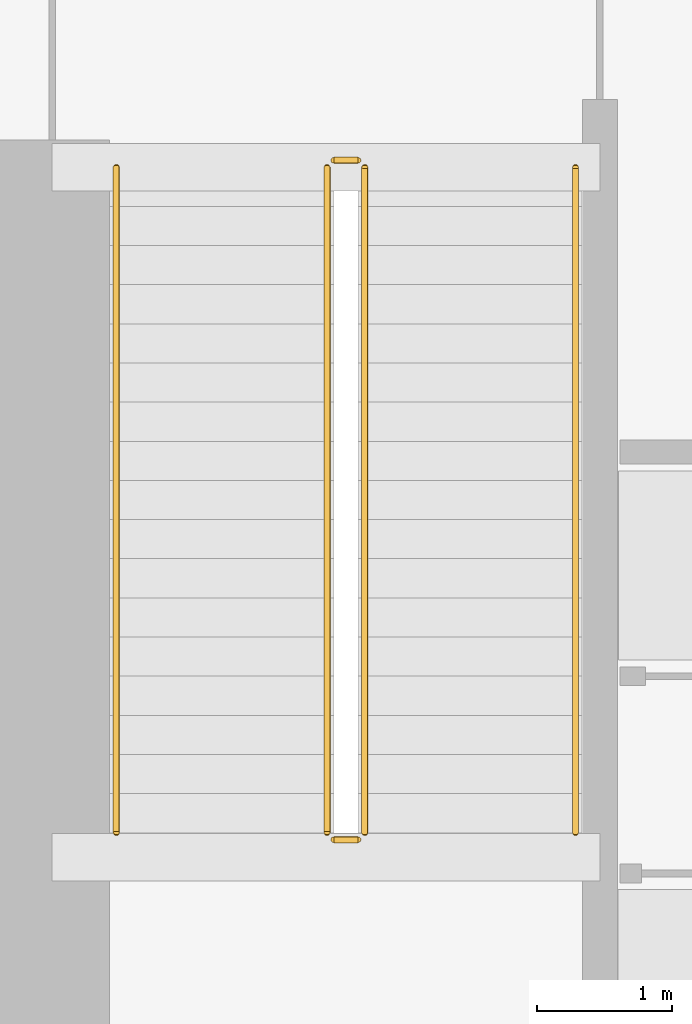
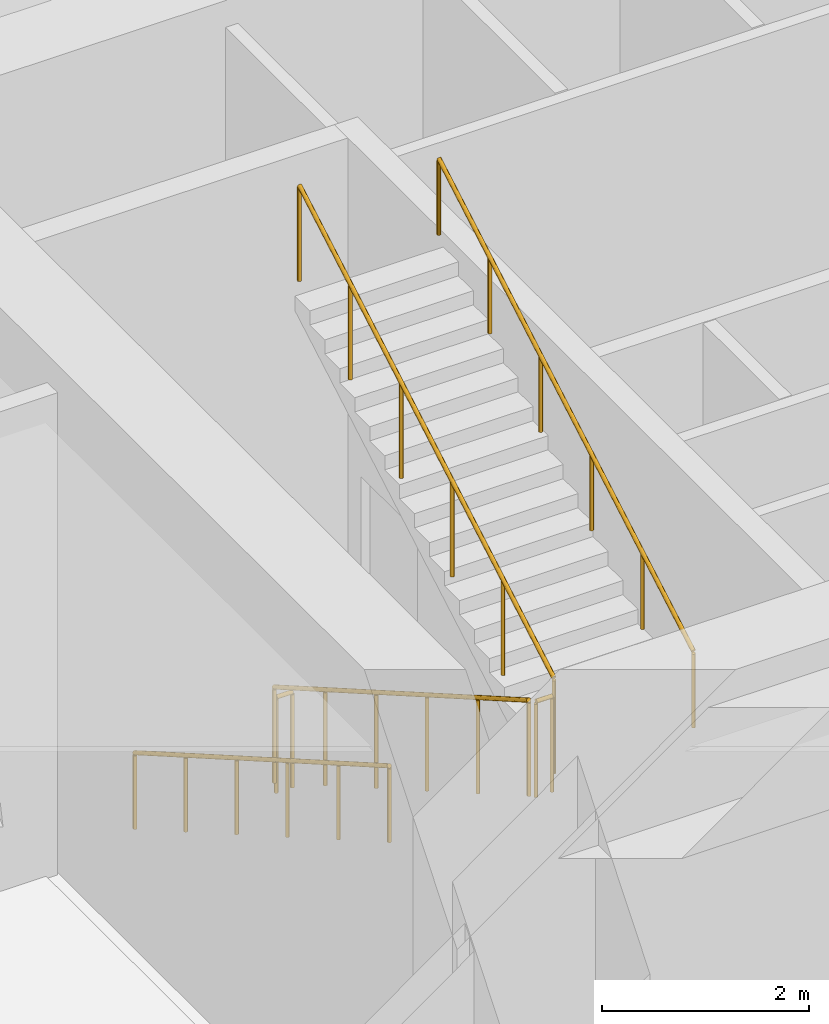
# One storey, part 9 of 13: 6 railings.
"""IFC4 building model written with IfcOpenShell, lengths in metres."""

from ifc_helpers import new_model, si_unit, direction, frame, origin, origin_2d, place, context, subcontext, project, spatial, circle, extrude, material, type_object, element, save


model = new_model("IFC4")

# Units and contexts
model_context = context("Model", 3, precision=1e-05, world=origin(), true_north=direction((0.0, 1.0)))
body_context = subcontext(model_context, "Body", "Model", "MODEL_VIEW")
ifc_project = project(units=[si_unit("LENGTHUNIT", "METRE"), si_unit("AREAUNIT", "SQUARE_METRE"), si_unit("VOLUMEUNIT", "CUBIC_METRE"), si_unit("PLANEANGLEUNIT", "RADIAN"), si_unit("MASSUNIT", "GRAM", prefix="KILO")], contexts=[model_context])

# Site, building, storey
site_placement = place(None, origin())
site = spatial("IfcSite", under=ifc_project, at=site_placement, CompositionType="ELEMENT")
building_placement = place(site_placement, origin())
building = spatial("IfcBuilding", under=site, at=building_placement, Name="Calvemar Wedge Station Tower", CompositionType="ELEMENT")
storey_placement = place(building_placement, origin())
storey = spatial("IfcBuildingStorey", under=building, at=storey_placement, Name="L01", CompositionType="ELEMENT", Elevation=0.0)

# Railings
ifc_material_1 = material(Name="Stainless steel AISI 316L", Category="steel")
railing_type_1 = type_object("IfcRailingType", Name="RL-HANDRAIL-920", PredefinedType="HANDRAIL", material=ifc_material_1)
railing_1_placement = place(storey_placement, frame((16.64990234375, 41.14990234375, 0.166748046875)))
element("IfcRailing", 1, at=railing_1_placement, inside=storey, type_object=railing_type_1, Name="L01 ST-C1 stair handrail 1", PredefinedType="HANDRAIL", context=body_context, shape_type="SweptSolid", body=[
    extrude(circle(Radius=0.02392578125, at=origin_2d()), frame((0.0, 0.0, 0.89599609375), z_axis=(0.0, -0.867017142139, 0.498278311025), x_axis=(1.0, 0.0, 0.0)), (0.0, 0.0, 1.0), 5.68603515625),
    extrude(circle(Radius=0.02099609375, at=origin_2d()), origin(), (0.0, 0.0, 1.0), 0.871826171875),
    extrude(circle(Radius=0.02099609375, at=origin_2d()), frame((0.0, -0.986083984375, 0.566650390625)), (0.0, 0.0, 1.0), 0.871826171875),
    extrude(circle(Radius=0.02099609375, at=origin_2d()), frame((0.0, -1.971923828125, 1.13330078125)), (0.0, 0.0, 1.0), 0.871826171875),
    extrude(circle(Radius=0.02099609375, at=origin_2d()), frame((0.0, -2.9580078125, 1.699951171875)), (0.0, 0.0, 1.0), 0.871826171875),
    extrude(circle(Radius=0.02099609375, at=origin_2d()), frame((0.0, -3.94384765625, 2.2666015625)), (0.0, 0.0, 1.0), 0.871826171875),
    extrude(circle(Radius=0.02099609375, at=origin_2d()), frame((0.0, -4.929931640625, 2.833251953125)), (0.0, 0.0, 1.0), 0.871826171875),
])
railing_2_placement = place(storey_placement, frame((20.050048828125, 36.219970703125, 3.166748046875)))
element("IfcRailing", 2, at=railing_2_placement, inside=storey, type_object=railing_type_1, Name="L01 ST-C1 stair handrail 2", PredefinedType="HANDRAIL", context=body_context, shape_type="SweptSolid", body=[
    extrude(circle(Radius=0.02392578125, at=origin_2d()), frame((0.0, 0.0, 0.89599609375), z_axis=(0.0, 0.867017142139, 0.498278311025), x_axis=(-1.0, 0.0, 0.0)), (0.0, 0.0, 1.0), 5.68603515625),
    extrude(circle(Radius=0.02099609375, at=origin_2d()), origin(), (0.0, 0.0, 1.0), 0.871826171875),
    extrude(circle(Radius=0.02099609375, at=origin_2d()), frame((0.0, 0.986083984375, 0.566650390625)), (0.0, 0.0, 1.0), 0.871826171875),
    extrude(circle(Radius=0.02099609375, at=origin_2d()), frame((0.0, 1.971923828125, 1.13330078125)), (0.0, 0.0, 1.0), 0.871826171875),
    extrude(circle(Radius=0.02099609375, at=origin_2d()), frame((0.0, 2.9580078125, 1.699951171875)), (0.0, 0.0, 1.0), 0.871826171875),
    extrude(circle(Radius=0.02099609375, at=origin_2d()), frame((0.0, 3.94384765625, 2.2666015625)), (0.0, 0.0, 1.0), 0.871826171875),
    extrude(circle(Radius=0.02099609375, at=origin_2d()), frame((0.0, 4.929931640625, 2.833251953125)), (0.0, 0.0, 1.0), 0.871826171875),
])
ifc_material_2 = material(Name="Painted steel guardrail ASTM A500 Grade C", Category="steel")
railing_type_2 = type_object("IfcRailingType", Name="RL-STAIR-GUARD-1150", PredefinedType="GUARDRAIL", material=ifc_material_2)
railing_3_placement = place(storey_placement, frame((18.2099609375, 41.14990234375, 0.166748046875)))
element("IfcRailing", 3, at=railing_3_placement, inside=storey, type_object=railing_type_2, Name="L01 ST-C1 stair guard 1", PredefinedType="GUARDRAIL", context=body_context, shape_type="SweptSolid", body=[
    extrude(circle(Radius=0.02392578125, at=origin_2d()), frame((0.0, 0.0, 1.1259765625), z_axis=(0.0, -0.867017142139, 0.498278311025), x_axis=(1.0, 0.0, 0.0)), (0.0, 0.0, 1.0), 5.68603515625),
    extrude(circle(Radius=0.02099609375, at=origin_2d()), origin(), (0.0, 0.0, 1.0), 1.101806640625),
    extrude(circle(Radius=0.02099609375, at=origin_2d()), frame((0.0, -0.986083984375, 0.566650390625)), (0.0, 0.0, 1.0), 1.101806640625),
    extrude(circle(Radius=0.02099609375, at=origin_2d()), frame((0.0, -1.971923828125, 1.13330078125)), (0.0, 0.0, 1.0), 1.101806640625),
    extrude(circle(Radius=0.02099609375, at=origin_2d()), frame((0.0, -2.9580078125, 1.699951171875)), (0.0, 0.0, 1.0), 1.101806640625),
    extrude(circle(Radius=0.02099609375, at=origin_2d()), frame((0.0, -3.94384765625, 2.2666015625)), (0.0, 0.0, 1.0), 1.101806640625),
    extrude(circle(Radius=0.02099609375, at=origin_2d()), frame((0.0, -4.929931640625, 2.833251953125)), (0.0, 0.0, 1.0), 1.101806640625),
])
railing_4_placement = place(storey_placement, frame((18.260009765625, 36.169921875, 3.0)))
element("IfcRailing", 4, at=railing_4_placement, inside=storey, type_object=railing_type_2, Name="L01 ST-C1 stair guard 2", PredefinedType="GUARDRAIL", context=body_context, shape_type="SweptSolid", body=[
    extrude(circle(Radius=0.02392578125, at=origin_2d()), frame((0.0, 0.0, 1.1259765625), z_axis=(1.0, 0.0, 0.0), x_axis=(0.0, 1.0, 0.0)), (0.0, 0.0, 1.0), 0.179931640625),
    extrude(circle(Radius=0.02099609375, at=origin_2d()), origin(), (0.0, 0.0, 1.0), 1.101806640625),
    extrude(circle(Radius=0.02099609375, at=origin_2d()), frame((0.179931640625, 0.0, 0.0)), (0.0, 0.0, 1.0), 1.101806640625),
])
railing_5_placement = place(storey_placement, frame((18.489990234375, 36.219970703125, 3.166748046875)))
element("IfcRailing", 5, at=railing_5_placement, inside=storey, type_object=railing_type_2, Name="L01 ST-C1 stair guard 3", PredefinedType="GUARDRAIL", context=body_context, shape_type="SweptSolid", body=[
    extrude(circle(Radius=0.02392578125, at=origin_2d()), frame((0.0, 0.0, 1.1259765625), z_axis=(0.0, 0.867017142139, 0.498278311025), x_axis=(-1.0, 0.0, 0.0)), (0.0, 0.0, 1.0), 5.68603515625),
    extrude(circle(Radius=0.02099609375, at=origin_2d()), origin(), (0.0, 0.0, 1.0), 1.101806640625),
    extrude(circle(Radius=0.02099609375, at=origin_2d()), frame((0.0, 0.986083984375, 0.566650390625)), (0.0, 0.0, 1.0), 1.101806640625),
    extrude(circle(Radius=0.02099609375, at=origin_2d()), frame((0.0, 1.971923828125, 1.13330078125)), (0.0, 0.0, 1.0), 1.101806640625),
    extrude(circle(Radius=0.02099609375, at=origin_2d()), frame((0.0, 2.9580078125, 1.699951171875)), (0.0, 0.0, 1.0), 1.101806640625),
    extrude(circle(Radius=0.02099609375, at=origin_2d()), frame((0.0, 3.94384765625, 2.2666015625)), (0.0, 0.0, 1.0), 1.101806640625),
    extrude(circle(Radius=0.02099609375, at=origin_2d()), frame((0.0, 4.929931640625, 2.833251953125)), (0.0, 0.0, 1.0), 1.101806640625),
])
railing_6_placement = place(storey_placement, frame((18.260009765625, 41.199951171875, 0.0)))
element("IfcRailing", 6, at=railing_6_placement, inside=storey, type_object=railing_type_2, Name="L01 ST-C1 stair guard 4", PredefinedType="GUARDRAIL", context=body_context, shape_type="SweptSolid", body=[
    extrude(circle(Radius=0.02392578125, at=origin_2d()), frame((0.0, 0.0, 1.1259765625), z_axis=(1.0, 0.0, 0.0), x_axis=(0.0, 1.0, 0.0)), (0.0, 0.0, 1.0), 0.179931640625),
    extrude(circle(Radius=0.02099609375, at=origin_2d()), origin(), (0.0, 0.0, 1.0), 1.101806640625),
    extrude(circle(Radius=0.02099609375, at=origin_2d()), frame((0.179931640625, 0.0, 0.0)), (0.0, 0.0, 1.0), 1.101806640625),
])

save(model, "model.ifc")
